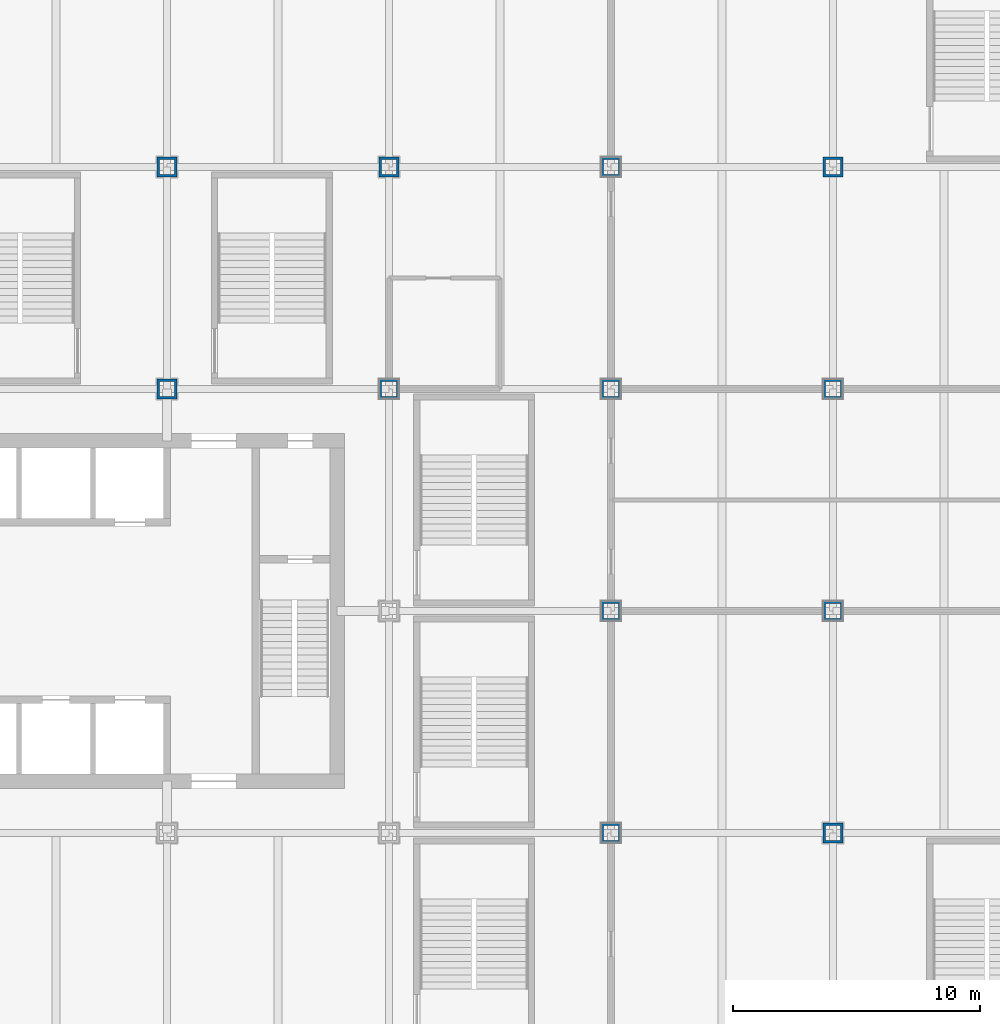
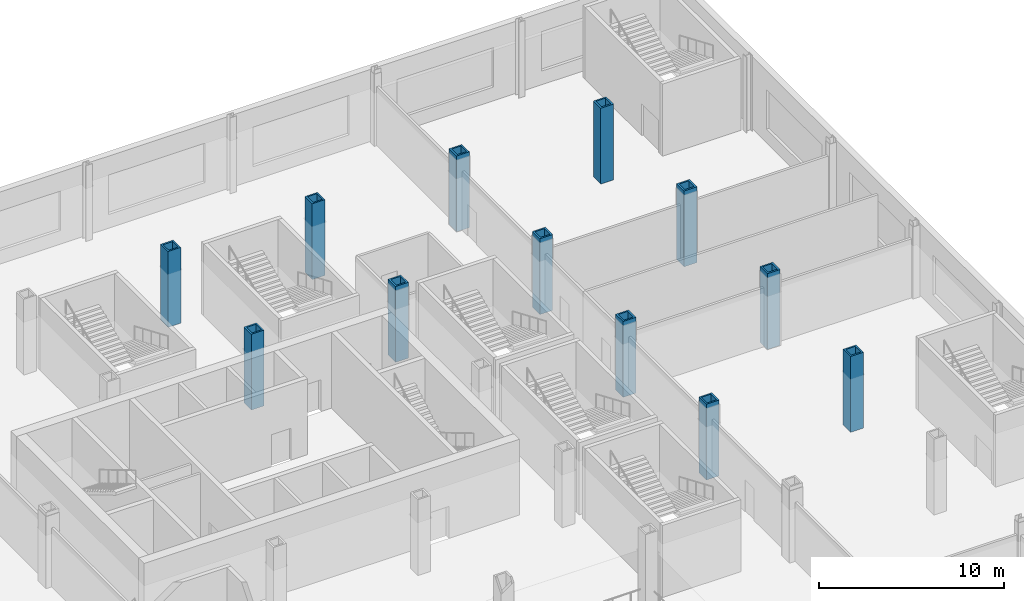
# One storey, part 4 of 31: 12 columns.
"""IFC4 building model written with IfcOpenShell, lengths in metres."""

from ifc_helpers import new_model, si_unit, direction, frame, origin, origin_2d, place, context, subcontext, project, spatial, hollow_rectangle, extrude, material, material_profile, profile_set, type_object, element, save


model = new_model("IFC4")

# Units and contexts
model_context = context("Model", 3, precision=1e-05, world=origin(), true_north=direction((0.0, 1.0)))
body_context = subcontext(model_context, "Body", "Model", "MODEL_VIEW")
ifc_project = project(units=[si_unit("LENGTHUNIT", "METRE"), si_unit("AREAUNIT", "SQUARE_METRE"), si_unit("VOLUMEUNIT", "CUBIC_METRE"), si_unit("PLANEANGLEUNIT", "RADIAN"), si_unit("MASSUNIT", "GRAM", prefix="KILO")], contexts=[model_context])

# Site, building, storey
site_placement = place(None, origin())
site = spatial("IfcSite", under=ifc_project, at=site_placement, CompositionType="ELEMENT")
building_placement = place(site_placement, origin())
building = spatial("IfcBuilding", under=site, at=building_placement, Name="Loomwork Tower", CompositionType="ELEMENT")
storey_placement = place(building_placement, frame((0.0, 0.0, 11.0)))
storey = spatial("IfcBuildingStorey", under=building, at=storey_placement, Name="L02", CompositionType="ELEMENT", Elevation=11.0)

# Columns
ifc_material_1 = material(Name="Steel ASTM A572 Grade 50 plate", Category="steel")
ifc_material_profile_1 = material_profile(ifc_material_1, hollow_rectangle(XDim=0.800048828125, YDim=0.800048828125, WallThickness=0.10009765625, at=origin_2d()), Name="BOX800x100")
ifc_profile_set_1 = profile_set([ifc_material_profile_1], Name="Steel ASTM A572 Grade 50 plate")
column_type_1 = type_object("IfcColumnType", Name="EXOSKELETON PIER BOX800x100", PredefinedType="COLUMN", material=ifc_profile_set_1)
for number, where, z_axis, x_axis, name in (
    (1, (27.0, 36.0, 0.0), (0.0, 0.0, 1.0), (1.0, 0.0, 0.0), "Exoskeleton Pier H/5 L02"),
    (2, (36.0, 36.0, 0.0), (0.0, 0.0, 1.0), (1.0, 0.0, 0.0), "Exoskeleton Pier H/6 L02"),
    (3, (45.0, 36.0, 0.0), (0.0, 0.0, 1.0), (1.0, 0.0, 0.0), "Exoskeleton Pier H/7 L02"),
    (4, (54.0, 9.0, 0.0), (0.0, 0.0, 1.0), (0.0, 1.0, 0.0), "Exoskeleton Pier E/8 L02"),
    (5, (54.0, 18.0, 0.0), (0.0, 0.0, 1.0), (0.0, 1.0, 0.0), "Exoskeleton Pier F/8 L02"),
    (6, (54.0, 27.0, 0.0), (0.0, 0.0, 1.0), (0.0, 1.0, 0.0), "Exoskeleton Pier G/8 L02"),
    (7, (54.0, 36.0, 0.0), (0.0, 0.0, 1.0), (1.0, 0.0, 0.0), "Exoskeleton Pier H/8 L02"),
):
    element("IfcColumn", number, at=place(storey_placement, frame(where, z_axis=z_axis, x_axis=x_axis)), inside=storey, type_object=column_type_1, Name=name, PredefinedType="COLUMN", context=body_context, shape_type="SweptSolid", body=[
        extrude(hollow_rectangle(XDim=0.800048828125, YDim=0.800048828125, WallThickness=0.10009765625, at=origin_2d()), origin(), (0.0, 0.0, 1.0), 5.0),
    ])
ifc_material_2 = material(Name="Steel ASTM A572 Grade 50 plate", Category="steel")
ifc_material_profile_2 = material_profile(ifc_material_2, hollow_rectangle(XDim=0.800048828125, YDim=0.800048828125, WallThickness=0.10009765625, at=origin_2d()), Name="BOX800x100")
ifc_profile_set_2 = profile_set([ifc_material_profile_2], Name="Steel ASTM A572 Grade 50 plate")
column_type_2 = type_object("IfcColumnType", Name="TOWER COLUMN BOX800x100", PredefinedType="COLUMN", material=ifc_profile_set_2)
for number, where, z_axis, x_axis, name in (
    (8, (27.0, 27.0, 0.0), (0.0, 0.0, 1.0), (1.0, 0.0, 0.0), "Tower Column G/5 L02"),
    (9, (36.0, 27.0, 0.0), (0.0, 0.0, 1.0), (1.0, 0.0, 0.0), "Tower Column G/6 L02"),
    (10, (45.0, 9.0, 0.0), (0.0, 0.0, 1.0), (0.0, 1.0, 0.0), "Tower Column E/7 L02"),
    (11, (45.0, 18.0, 0.0), (0.0, 0.0, 1.0), (0.0, 1.0, 0.0), "Tower Column F/7 L02"),
    (12, (45.0, 27.0, 0.0), (0.0, 0.0, 1.0), (0.0, 1.0, 0.0), "Tower Column G/7 L02"),
):
    element("IfcColumn", number, at=place(storey_placement, frame(where, z_axis=z_axis, x_axis=x_axis)), inside=storey, type_object=column_type_2, Name=name, PredefinedType="COLUMN", context=body_context, shape_type="SweptSolid", body=[
        extrude(hollow_rectangle(XDim=0.800048828125, YDim=0.800048828125, WallThickness=0.10009765625, at=origin_2d()), origin(), (0.0, 0.0, 1.0), 5.0),
    ])

save(model, "model.ifc")
